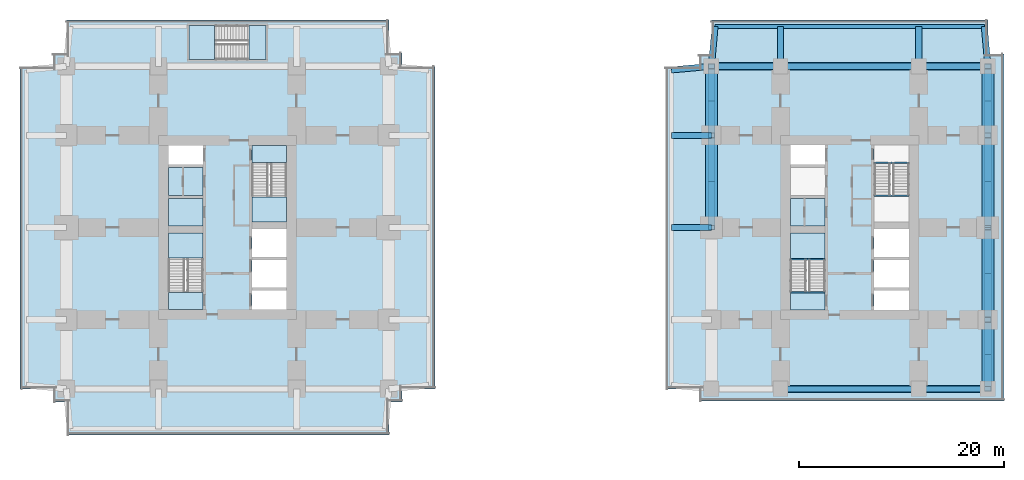
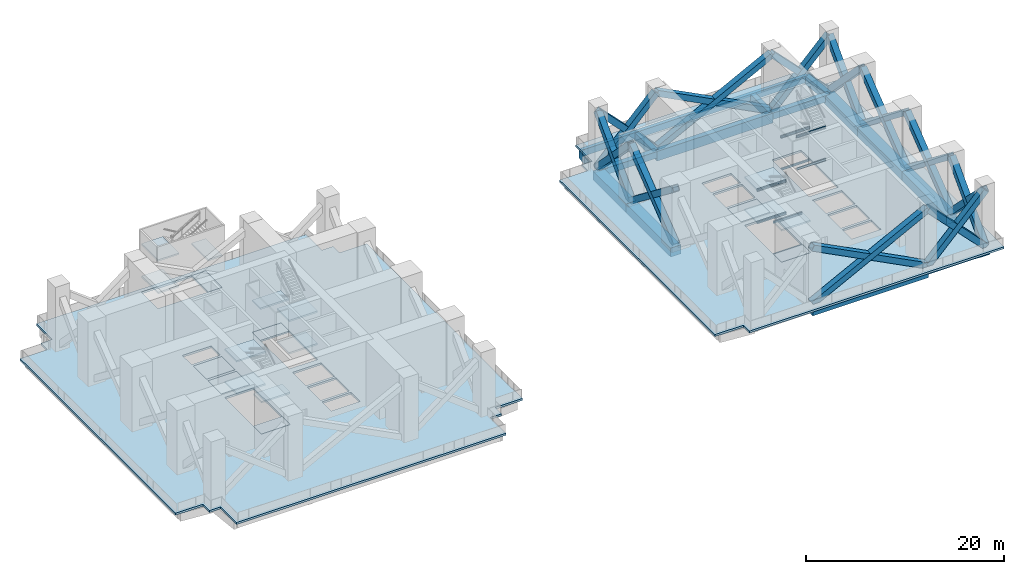
# One storey, part 2 of 11: 27 beams, 22 members, 21 slabs, 4 elements without a shape of their own.
"""IFC4 building model written with IfcOpenShell, lengths in metres."""

import ifcopenshell
import ifcopenshell.guid

model = None  # the IFC model being written
_history = None  # IfcOwnerHistory: only IFC2X3 demands one
_inside = {}  # id of a spatial element -> (the spatial element, [elements in it])
_under = {}  # id of a project, library or spatial element -> (it, [spatial elements below it])
_declared = {}  # id of a project -> (the project, [libraries it declares])
_typed = {}  # id of a type object -> (the type object, [elements of that type])
_made_of = {}  # id of a material, layer set ... -> (it, [elements and type objects made of it])


def new_model(schema):
    """Start an empty IFC model of exactly this schema.

    Asked for "IFC4X3", IfcOpenShell would pick the latest addendum, in which some entities
    have other attributes; the version numbers below select the first issue.
    IFC2X3 requires an IfcOwnerHistory on every rooted entity: one is made here for all.
    """
    global model, _history
    if schema == "IFC4X3":
        model = ifcopenshell.file(schema_version=(4, 3, 0, 0))
    else:
        model = ifcopenshell.file(schema=schema)
    _inside.clear()
    _under.clear()
    _declared.clear()
    _typed.clear()
    _made_of.clear()
    _history = None
    if model.schema == "IFC2X3":
        org = make("IfcOrganization", Name="unknown")
        user = make(
            "IfcPersonAndOrganization",
            ThePerson=make("IfcPerson", FamilyName="unknown"),
            TheOrganization=org,
        )
        app = make(
            "IfcApplication",
            ApplicationDeveloper=org,
            Version="unknown",
            ApplicationFullName="unknown",
            ApplicationIdentifier="unknown",
        )
        _history = make(
            "IfcOwnerHistory",
            OwningUser=user,
            OwningApplication=app,
            ChangeAction="ADDED",
            CreationDate=0,
        )
    return model


def make(cls, **values):
    """One entity of the class cls with the attributes given. An attribute that is None is left unset."""
    return model.create_entity(
        cls, **{name: value for name, value in values.items() if value is not None}
    )


def rooted(cls, **values):
    """An entity with a GlobalId (a new one), such as an element, a storey or a relation."""
    return make(cls, GlobalId=ifcopenshell.guid.new(), OwnerHistory=_history, **values)


def si_unit(unit_type, name, prefix=None):
    """IfcSIUnit, for example si_unit("LENGTHUNIT", "METRE", prefix="MILLI")."""
    return make("IfcSIUnit", UnitType=unit_type, Prefix=prefix, Name=name)


def assignment(units):
    """IfcUnitAssignment: the units of a project."""
    return None if units is None else make("IfcUnitAssignment", Units=units)


def point(xyz):
    """IfcCartesianPoint."""
    return None if xyz is None else make("IfcCartesianPoint", Coordinates=xyz)


def direction(xyz):
    """IfcDirection."""
    return None if xyz is None else make("IfcDirection", DirectionRatios=xyz)


def frame(location, z_axis=None, x_axis=None):
    """IfcAxis2Placement3D, a coordinate frame: its origin and axes. An axis left out is left unset."""
    return make(
        "IfcAxis2Placement3D",
        Location=point(location),
        Axis=direction(z_axis),
        RefDirection=direction(x_axis),
    )


def frame_2d(location, x_axis=None):
    """IfcAxis2Placement2D, a coordinate frame in the plane: its origin and x axis."""
    return make(
        "IfcAxis2Placement2D", Location=point(location), RefDirection=direction(x_axis)
    )


def origin():
    """The frame at (0, 0, 0) with its axes left unset."""
    return frame((0.0, 0.0, 0.0))


def origin_2d():
    """The frame at (0, 0) in the plane with its x axis left unset."""
    return frame_2d((0.0, 0.0))


def place(relative_to, where):
    """IfcLocalPlacement: puts the frame where relative to a parent placement (None: the world)."""
    return make(
        "IfcLocalPlacement", PlacementRelTo=relative_to, RelativePlacement=where
    )


def context(
    kind, dimensions, precision=None, world=None, true_north=None, identifier=None
):
    """IfcGeometricRepresentationContext, for example the 3D "Model" context."""
    return make(
        "IfcGeometricRepresentationContext",
        ContextIdentifier=identifier,
        ContextType=kind,
        CoordinateSpaceDimension=dimensions,
        Precision=precision,
        WorldCoordinateSystem=world,
        TrueNorth=true_north,
    )


def subcontext(parent, identifier, kind, view, scale=None):
    """IfcGeometricRepresentationSubContext, for example "Body" below "Model"."""
    return make(
        "IfcGeometricRepresentationSubContext",
        ContextIdentifier=identifier,
        ContextType=kind,
        ParentContext=parent,
        TargetScale=scale,
        TargetView=view,
    )


def project(units=None, contexts=None):
    """IfcProject with its units and contexts."""
    return rooted(
        "IfcProject",
        Name="project",
        RepresentationContexts=contexts,
        UnitsInContext=assignment(units),
    )


def spatial(cls, under=None, at=None, **own):
    """A site, building, storey or space (cls), placed at a placement, below another one or the project."""
    s = rooted(cls, ObjectPlacement=at, **own)
    if under is not None:
        _under.setdefault(under.id(), (under, []))[1].append(s)
    return s


def polyline(points):
    """IfcPolyline through the points."""
    return make("IfcPolyline", Points=[point(p) for p in points])


def profile(cls, at=None, kind="AREA", **sizes):
    """A parametric profile (cls). Its sizes go by their IFC names, for example OverallWidth=200.0."""
    return make(cls, ProfileType=kind, Position=at, **sizes)


def rectangle(**sizes):
    """IfcRectangleProfileDef."""
    return profile("IfcRectangleProfileDef", **sizes)


def hollow_rectangle(**sizes):
    """IfcRectangleHollowProfileDef."""
    return profile("IfcRectangleHollowProfileDef", **sizes)


def i_section(**sizes):
    """IfcIShapeProfileDef."""
    return profile("IfcIShapeProfileDef", **sizes)


def outline(outer, holes=None, kind="AREA"):
    """IfcArbitraryClosedProfileDef: a profile drawn as a closed curve; with holes, ...WithVoids."""
    if holes is None:
        return make("IfcArbitraryClosedProfileDef", ProfileType=kind, OuterCurve=outer)
    return make(
        "IfcArbitraryProfileDefWithVoids",
        ProfileType=kind,
        OuterCurve=outer,
        InnerCurves=holes,
    )


def extrude(swept, where, along, depth):
    """IfcExtrudedAreaSolid: the profile swept, set in the frame where, extruded along a direction by depth."""
    return make(
        "IfcExtrudedAreaSolid",
        SweptArea=swept,
        Position=where,
        ExtrudedDirection=direction(along),
        Depth=depth,
    )


def shape(context_of_items, identifier, shape_type, items):
    """IfcShapeRepresentation: the items that make up one representation, for example the "Body"."""
    return make(
        "IfcShapeRepresentation",
        ContextOfItems=context_of_items,
        RepresentationIdentifier=identifier,
        RepresentationType=shape_type,
        Items=items,
    )


def material(Name=None, Category=None):
    """IfcMaterial."""
    return make("IfcMaterial", Name=Name, Category=Category)


def layer(
    of_material, thickness, ventilated=None, Name=None, Category=None, Priority=None
):
    """IfcMaterialLayer: one layer of a wall or slab, of a material (None: an air gap)."""
    return make(
        "IfcMaterialLayer",
        Material=of_material,
        LayerThickness=thickness,
        IsVentilated=ventilated,
        Name=Name,
        Category=Category,
        Priority=Priority,
    )


def layer_set(layers, Name=None):
    """IfcMaterialLayerSet."""
    return make("IfcMaterialLayerSet", MaterialLayers=layers, LayerSetName=Name)


def material_profile(
    of_material, cross_section, Name=None, Category=None, Priority=None
):
    """IfcMaterialProfile: a cross section and its material."""
    return make(
        "IfcMaterialProfile",
        Name=Name,
        Material=of_material,
        Profile=cross_section,
        Priority=Priority,
        Category=Category,
    )


def profile_set(profiles, Name=None, composite=None):
    """IfcMaterialProfileSet."""
    return make(
        "IfcMaterialProfileSet",
        Name=Name,
        MaterialProfiles=profiles,
        CompositeProfile=composite,
    )


def made_of(thing, what):
    """Note that an element or type object is made of a material, layer set ...; save() writes the relation."""
    if what is not None:
        _made_of.setdefault(what.id(), (what, []))[1].append(thing)
    return thing


def type_object(cls, material=None, **own):
    """A type object (cls), such as IfcWallType, which elements share."""
    return made_of(rooted(cls, **own), material)


def element(
    cls,
    number,
    at=None,
    inside=None,
    cuts=None,
    type_object=None,
    material=None,
    context=None,
    identifier="Body",
    shape_type=None,
    held_by="IfcProductDefinitionShape",
    body=None,
    shapes=None,
    **own,
):
    """One element of the class cls, such as IfcWall. Its Tag is "e" and its number.

    at: its placement. inside: the storey or other place that contains it. cuts: it is an
    opening in that element (IfcRelVoidsElement). A single representation is given by context,
    identifier, shape_type and body (its items); several are given by shapes. held_by: the class
    of the entity that holds the representations. save() writes the other relations.
    """
    e = rooted(cls, Tag="e%d" % number, ObjectPlacement=at, **own)
    if body is not None:
        shapes = [shape(context, identifier, shape_type, body)]
    if shapes is not None:
        e.Representation = make(held_by, Representations=shapes)
    if inside is not None:
        _inside.setdefault(inside.id(), (inside, []))[1].append(e)
    if cuts is not None:
        rooted(
            "IfcRelVoidsElement", RelatingBuildingElement=cuts, RelatedOpeningElement=e
        )
    if type_object is not None:
        _typed.setdefault(type_object.id(), (type_object, []))[1].append(e)
    return made_of(e, material)


def aggregate(whole, parts):
    """IfcRelAggregates: a whole, such as a stair, and the parts it consists of."""
    return rooted("IfcRelAggregates", RelatingObject=whole, RelatedObjects=parts)


def save(model, path):
    """Write the relations noted so far, then the file.

    IfcRelAggregates (storeys below a building ...), IfcRelContainedInSpatialStructure (elements
    in a storey), IfcRelDefinesByType, IfcRelAssociatesMaterial and IfcRelDeclares: one each for
    every whole, place, type object, material and project.
    """
    for whole, parts in _under.values():
        aggregate(whole, parts)
    for where, things in _inside.values():
        rooted(
            "IfcRelContainedInSpatialStructure",
            RelatedElements=things,
            RelatingStructure=where,
        )
    for kind, things in _typed.values():
        rooted("IfcRelDefinesByType", RelatedObjects=things, RelatingType=kind)
    for what, things in _made_of.values():
        rooted("IfcRelAssociatesMaterial", RelatedObjects=things, RelatingMaterial=what)
    for by, libraries in _declared.values():
        rooted("IfcRelDeclares", RelatingContext=by, RelatedDefinitions=libraries)
    model.write(path)


model = new_model("IFC4")

# Units and contexts
model_context = context("Model", 3, precision=1e-05, world=origin(), true_north=direction((0.0, 1.0)))
body_context = subcontext(model_context, "Body", "Model", "MODEL_VIEW")
ifc_project = project(units=[si_unit("LENGTHUNIT", "METRE"), si_unit("AREAUNIT", "SQUARE_METRE"), si_unit("VOLUMEUNIT", "CUBIC_METRE"), si_unit("PLANEANGLEUNIT", "RADIAN"), si_unit("MASSUNIT", "GRAM", prefix="KILO")], contexts=[model_context])

# Site, building, storey
site_placement = place(None, origin())
site = spatial("IfcSite", under=ifc_project, at=site_placement, CompositionType="ELEMENT")
building_placement = place(site_placement, origin())
building = spatial("IfcBuilding", under=site, at=building_placement, Name="Namib Vertical Campus", CompositionType="ELEMENT")
storey_placement = place(building_placement, frame((0.0, 0.0, 169.0)))
storey = spatial("IfcBuildingStorey", under=building, at=storey_placement, Name="L40", CompositionType="ELEMENT", Elevation=169.0)

# Members
ifc_material_1 = material(Name="Steel S355JR", Category="steel")
ifc_material_profile_1 = material_profile(ifc_material_1, hollow_rectangle(XDim=0.699951171875, YDim=0.699951171875, WallThickness=0.0400390625, at=origin_2d()))
ifc_profile_set_1 = profile_set([ifc_material_profile_1], Name="Steel S355JR")
member_type = type_object("IfcMemberType", Name="Belt truss diagonal WB 700x700x40", PredefinedType="BRACE", material=ifc_profile_set_1)
for number, where, z_axis, x_axis, name in (
    (1, (74.25, 4.5, 0.0), (0.889097706218, 0.0, 0.457717455203), (0.0, 1.0, 0.0), "Belt truss diagonal B L40 S3"),
    (2, (87.75, 4.5, 0.0), (-0.889097706218, 0.0, 0.457717455203), (0.0, -1.0, 0.0), "Belt truss diagonal B L40 S4"),
):
    element("IfcMember", number, at=place(storey_placement, frame(where, z_axis=z_axis, x_axis=x_axis)), inside=storey, type_object=member_type, Name=name, PredefinedType="BRACE", context=body_context, shape_type="SweptSolid", body=[
        extrude(hollow_rectangle(XDim=0.699951171875, YDim=0.699951171875, WallThickness=0.0400390625, at=origin_2d()), origin(), (0.0, 0.0, 1.0), 15.183837890625),
    ])
for number, where, z_axis, x_axis, name in (
    (3, (87.75, 4.5, 0.0), (0.696712336785, 0.0, 0.717350625407), (0.0, 1.0, 0.0), "Belt truss diagonal B L40 S5"),
    (4, (94.5, 4.5, 0.0), (-0.696712336785, 0.0, 0.717350625407), (0.0, -1.0, 0.0), "Belt truss diagonal B L40 S6"),
    (5, (67.5, 36.0, 0.0), (0.696712336785, 0.0, 0.717350625407), (0.0, 1.0, 0.0), "Belt truss diagonal B L40 N7"),
    (6, (74.25, 36.0, 0.0), (-0.696712336785, 0.0, 0.717350625407), (0.0, -1.0, 0.0), "Belt truss diagonal B L40 N8"),
):
    element("IfcMember", number, at=place(storey_placement, frame(where, z_axis=z_axis, x_axis=x_axis)), inside=storey, type_object=member_type, Name=name, PredefinedType="BRACE", context=body_context, shape_type="SweptSolid", body=[
        extrude(hollow_rectangle(XDim=0.699951171875, YDim=0.699951171875, WallThickness=0.0400390625, at=origin_2d()), origin(), (0.0, 0.0, 1.0), 9.6884765625),
    ])
for number, where, z_axis, x_axis, name in (
    (7, (74.25, 36.0, 0.0), (0.889097706218, 0.0, 0.457717455203), (0.0, 1.0, 0.0), "Belt truss diagonal B L40 N9"),
    (8, (87.75, 36.0, 0.0), (-0.889097706218, 0.0, 0.457717455203), (0.0, -1.0, 0.0), "Belt truss diagonal B L40 N10"),
):
    element("IfcMember", number, at=place(storey_placement, frame(where, z_axis=z_axis, x_axis=x_axis)), inside=storey, type_object=member_type, Name=name, PredefinedType="BRACE", context=body_context, shape_type="SweptSolid", body=[
        extrude(hollow_rectangle(XDim=0.699951171875, YDim=0.699951171875, WallThickness=0.0400390625, at=origin_2d()), origin(), (0.0, 0.0, 1.0), 15.183837890625),
    ])
for number, where, z_axis, x_axis, name in (
    (9, (87.75, 36.0, 0.0), (0.696712336785, 0.0, 0.717350625407), (0.0, 1.0, 0.0), "Belt truss diagonal B L40 N11"),
    (10, (94.5, 36.0, 0.0), (-0.696712336785, 0.0, 0.717350625407), (0.0, -1.0, 0.0), "Belt truss diagonal B L40 N12"),
):
    element("IfcMember", number, at=place(storey_placement, frame(where, z_axis=z_axis, x_axis=x_axis)), inside=storey, type_object=member_type, Name=name, PredefinedType="BRACE", context=body_context, shape_type="SweptSolid", body=[
        extrude(hollow_rectangle(XDim=0.699951171875, YDim=0.699951171875, WallThickness=0.0400390625, at=origin_2d()), origin(), (0.0, 0.0, 1.0), 9.6884765625),
    ])
for number, where, z_axis, x_axis, name in (
    (11, (67.5, 20.25, 0.0), (0.0, 0.79148044328, 0.611194492699), (-1.0, 0.0, 0.0), "Belt truss diagonal B L40 W17"),
    (12, (67.5, 29.25, 0.0), (0.0, -0.79148044328, 0.611194492699), (1.0, 0.0, 0.0), "Belt truss diagonal B L40 W18"),
):
    element("IfcMember", number, at=place(storey_placement, frame(where, z_axis=z_axis, x_axis=x_axis)), inside=storey, type_object=member_type, Name=name, PredefinedType="BRACE", context=body_context, shape_type="SweptSolid", body=[
        extrude(hollow_rectangle(XDim=0.699951171875, YDim=0.699951171875, WallThickness=0.0400390625, at=origin_2d()), origin(), (0.0, 0.0, 1.0), 11.37109375),
    ])
for number, where, z_axis, x_axis, name in (
    (13, (67.5, 29.25, 0.0), (0.0, 0.696712336785, 0.717350625407), (-1.0, 0.0, 0.0), "Belt truss diagonal B L40 W19"),
    (14, (67.5, 36.0, 0.0), (0.0, -0.696712336785, 0.717350625407), (1.0, 0.0, 0.0), "Belt truss diagonal B L40 W20"),
    (15, (94.5, 4.5, 0.0), (0.0, 0.696712336785, 0.717350625407), (-1.0, 0.0, 0.0), "Belt truss diagonal B L40 E21"),
    (16, (94.5, 11.25, 0.0), (0.0, -0.696712336785, 0.717350625407), (1.0, 0.0, 0.0), "Belt truss diagonal B L40 E22"),
):
    element("IfcMember", number, at=place(storey_placement, frame(where, z_axis=z_axis, x_axis=x_axis)), inside=storey, type_object=member_type, Name=name, PredefinedType="BRACE", context=body_context, shape_type="SweptSolid", body=[
        extrude(hollow_rectangle(XDim=0.699951171875, YDim=0.699951171875, WallThickness=0.0400390625, at=origin_2d()), origin(), (0.0, 0.0, 1.0), 9.6884765625),
    ])
for number, where, z_axis, x_axis, name in (
    (17, (94.5, 11.25, 0.0), (0.0, 0.79148044328, 0.611194492699), (-1.0, 0.0, 0.0), "Belt truss diagonal B L40 E23"),
    (18, (94.5, 20.25, 0.0), (0.0, -0.79148044328, 0.611194492699), (1.0, 0.0, 0.0), "Belt truss diagonal B L40 E24"),
    (19, (94.5, 20.25, 0.0), (0.0, 0.79148044328, 0.611194492699), (-1.0, 0.0, 0.0), "Belt truss diagonal B L40 E25"),
    (20, (94.5, 29.25, 0.0), (0.0, -0.79148044328, 0.611194492699), (1.0, 0.0, 0.0), "Belt truss diagonal B L40 E26"),
):
    element("IfcMember", number, at=place(storey_placement, frame(where, z_axis=z_axis, x_axis=x_axis)), inside=storey, type_object=member_type, Name=name, PredefinedType="BRACE", context=body_context, shape_type="SweptSolid", body=[
        extrude(hollow_rectangle(XDim=0.699951171875, YDim=0.699951171875, WallThickness=0.0400390625, at=origin_2d()), origin(), (0.0, 0.0, 1.0), 11.37109375),
    ])
for number, where, z_axis, x_axis, name in (
    (21, (94.5, 29.25, 0.0), (0.0, 0.696712336785, 0.717350625407), (-1.0, 0.0, 0.0), "Belt truss diagonal B L40 E27"),
    (22, (94.5, 36.0, 0.0), (0.0, -0.696712336785, 0.717350625407), (1.0, 0.0, 0.0), "Belt truss diagonal B L40 E28"),
):
    element("IfcMember", number, at=place(storey_placement, frame(where, z_axis=z_axis, x_axis=x_axis)), inside=storey, type_object=member_type, Name=name, PredefinedType="BRACE", context=body_context, shape_type="SweptSolid", body=[
        extrude(hollow_rectangle(XDim=0.699951171875, YDim=0.699951171875, WallThickness=0.0400390625, at=origin_2d()), origin(), (0.0, 0.0, 1.0), 9.6884765625),
    ])

# Beams
ifc_material_2 = material(Name="Concrete C40/50", Category="concrete")
ifc_material_profile_2 = material_profile(ifc_material_2, rectangle(XDim=1.199951171875, YDim=1.10009765625, at=origin_2d()))
ifc_profile_set_2 = profile_set([ifc_material_profile_2], Name="Concrete C40/50")
beam_type_1 = type_object("IfcBeamType", Name="Face ring beam RC 1200x1100", PredefinedType="BEAM", material=ifc_profile_set_2)
beam_1_placement = place(storey_placement, frame((67.5, 20.25, -0.800048828125), z_axis=(0.0, 1.0, 0.0), x_axis=(-1.0, 0.0, 0.0)))
element("IfcBeam", 23, at=beam_1_placement, inside=storey, type_object=beam_type_1, Name="Beam B11 L40", PredefinedType="BEAM", context=body_context, shape_type="SweptSolid", body=[
    extrude(rectangle(XDim=1.199951171875, YDim=1.10009765625, at=origin_2d()), origin(), (0.0, 0.0, 1.0), 9.0),
])
for number, where, z_axis, x_axis, name in (
    (24, (67.5, 29.25, -0.800048828125), (0.0, 1.0, 0.0), (-1.0, 0.0, 0.0), "Beam B11 L40"),
    (25, (94.5, 4.5, -0.800048828125), (0.0, 1.0, 0.0), (-1.0, 0.0, 0.0), "Beam B11 L40"),
):
    element("IfcBeam", number, at=place(storey_placement, frame(where, z_axis=z_axis, x_axis=x_axis)), inside=storey, type_object=beam_type_1, Name=name, PredefinedType="BEAM", context=body_context, shape_type="SweptSolid", body=[
        extrude(rectangle(XDim=1.199951171875, YDim=1.10009765625, at=origin_2d()), origin(), (0.0, 0.0, 1.0), 6.75),
    ])
for number, where, z_axis, x_axis, name in (
    (26, (94.5, 11.25, -0.800048828125), (0.0, 1.0, 0.0), (-1.0, 0.0, 0.0), "Beam B11 L40"),
    (27, (94.5, 20.25, -0.800048828125), (0.0, 1.0, 0.0), (-1.0, 0.0, 0.0), "Beam B11 L40"),
):
    element("IfcBeam", number, at=place(storey_placement, frame(where, z_axis=z_axis, x_axis=x_axis)), inside=storey, type_object=beam_type_1, Name=name, PredefinedType="BEAM", context=body_context, shape_type="SweptSolid", body=[
        extrude(rectangle(XDim=1.199951171875, YDim=1.10009765625, at=origin_2d()), origin(), (0.0, 0.0, 1.0), 9.0),
    ])
beam_2_placement = place(storey_placement, frame((94.5, 29.25, -0.800048828125), z_axis=(0.0, 1.0, 0.0), x_axis=(-1.0, 0.0, 0.0)))
element("IfcBeam", 28, at=beam_2_placement, inside=storey, type_object=beam_type_1, Name="Beam B11 L40", PredefinedType="BEAM", context=body_context, shape_type="SweptSolid", body=[
    extrude(rectangle(XDim=1.199951171875, YDim=1.10009765625, at=origin_2d()), origin(), (0.0, 0.0, 1.0), 6.75),
])
ifc_material_3 = material(Name="Steel S355JR", Category="steel")
ifc_material_profile_3 = material_profile(ifc_material_3, i_section(OverallWidth=0.14599609375, OverallDepth=0.25146484375, WebThickness=0.006103515625, FlangeThickness=0.008544921875, FilletRadius=0.007568359375, at=origin_2d()))
ifc_profile_set_3 = profile_set([ifc_material_profile_3], Name="Steel S355JR")
beam_type_2 = type_object("IfcBeamType", Name="Landing trimmer UB 254x146x31", PredefinedType="BEAM", material=ifc_profile_set_3)
for number, where, z_axis, x_axis, name in (
    (29, (75.199951171875, 13.927001953125, -0.125732421875), (1.0, 0.0, 0.0), (0.0, 1.0, 0.0), "Landing trimmer LT1 B-S1 L40 1"),
    (30, (75.199951171875, 17.153076171875, 1.874267578125), (1.0, 0.0, 0.0), (0.0, 1.0, 0.0), "Landing trimmer LT1 B-S1 L40 2"),
    (31, (75.199951171875, 13.927001953125, 3.874267578125), (1.0, 0.0, 0.0), (0.0, 1.0, 0.0), "Landing trimmer LT1 B-S1 L40 3"),
    (32, (75.199951171875, 17.153076171875, 5.874267578125), (1.0, 0.0, 0.0), (0.0, 1.0, 0.0), "Landing trimmer LT1 B-S1 L40 4"),
    (33, (83.39990234375, 26.572998046875, -0.125732421875), (1.0, 0.0, 0.0), (0.0, 1.0, 0.0), "Landing trimmer LT1 B-S2 L40 1"),
    (34, (83.39990234375, 23.346923828125, 1.874267578125), (1.0, 0.0, 0.0), (0.0, 1.0, 0.0), "Landing trimmer LT1 B-S2 L40 2"),
    (35, (83.39990234375, 26.572998046875, 3.874267578125), (1.0, 0.0, 0.0), (0.0, 1.0, 0.0), "Landing trimmer LT1 B-S2 L40 3"),
    (36, (83.39990234375, 23.346923828125, 5.874267578125), (1.0, 0.0, 0.0), (0.0, 1.0, 0.0), "Landing trimmer LT1 B-S2 L40 4"),
):
    element("IfcBeam", number, at=place(storey_placement, frame(where, z_axis=z_axis, x_axis=x_axis)), inside=storey, type_object=beam_type_2, Name=name, PredefinedType="BEAM", context=body_context, shape_type="SweptSolid", body=[
        extrude(i_section(OverallWidth=0.14599609375, OverallDepth=0.25146484375, WebThickness=0.006103515625, FlangeThickness=0.008544921875, FilletRadius=0.007568359375, at=origin_2d()), origin(), (0.0, 0.0, 1.0), 3.400146484375),
    ])
ifc_material_4 = material(Name="Concrete C40/50", Category="concrete")
ifc_material_profile_4 = material_profile(ifc_material_4, rectangle(XDim=0.60009765625, YDim=1.199951171875, at=origin_2d()))
ifc_profile_set_4 = profile_set([ifc_material_profile_4], Name="Concrete C40/50")
beam_type_3 = type_object("IfcBeamType", Name="Long-span ring beam RC 600x1200", PredefinedType="BEAM", material=ifc_profile_set_4)
for number, where, z_axis, x_axis, name in (
    (37, (74.25, 4.5, -0.85009765625), (1.0, 0.0, 0.0), (0.0, 1.0, 0.0), "Beam B9 L40"),
    (38, (74.25, 36.0, -0.85009765625), (1.0, 0.0, 0.0), (0.0, 1.0, 0.0), "Beam B9 L40"),
):
    element("IfcBeam", number, at=place(storey_placement, frame(where, z_axis=z_axis, x_axis=x_axis)), inside=storey, type_object=beam_type_3, Name=name, PredefinedType="BEAM", context=body_context, shape_type="SweptSolid", body=[
        extrude(rectangle(XDim=0.60009765625, YDim=1.199951171875, at=origin_2d()), origin(), (0.0, 0.0, 1.0), 13.5),
    ])
ifc_material_5 = material(Name="Concrete C40/50", Category="concrete")
ifc_material_profile_5 = material_profile(ifc_material_5, rectangle(XDim=0.60009765625, YDim=1.0, at=origin_2d()))
ifc_profile_set_5 = profile_set([ifc_material_profile_5], Name="Concrete C40/50")
beam_type_4 = type_object("IfcBeamType", Name="Portal cantilever girder RC 600x1000", PredefinedType="BEAM", material=ifc_profile_set_5)
beam_3_placement = place(storey_placement, frame((67.5, 36.0, -0.75), z_axis=(0.089411326146, 0.995994786511, 0.0), x_axis=(-0.995994786511, 0.089411326146, 0.0)))
element("IfcBeam", 39, at=beam_3_placement, inside=storey, type_object=beam_type_4, Name="Beam B14 L40", PredefinedType="BEAM", context=body_context, shape_type="SweptSolid", body=[
    extrude(rectangle(XDim=0.60009765625, YDim=1.0, at=origin_2d()), origin(), (0.0, 0.0, 1.0), 3.91552734375),
])
for number, where, z_axis, x_axis, name in (
    (40, (74.25, 36.0, -0.75), (0.0, 1.0, 0.0), (-1.0, 0.0, 0.0), "Beam B14 L40"),
    (41, (87.75, 36.0, -0.75), (0.0, 1.0, 0.0), (-1.0, 0.0, 0.0), "Beam B14 L40"),
):
    element("IfcBeam", number, at=place(storey_placement, frame(where, z_axis=z_axis, x_axis=x_axis)), inside=storey, type_object=beam_type_4, Name=name, PredefinedType="BEAM", context=body_context, shape_type="SweptSolid", body=[
        extrude(rectangle(XDim=0.60009765625, YDim=1.0, at=origin_2d()), origin(), (0.0, 0.0, 1.0), 3.89990234375),
    ])
beam_4_placement = place(storey_placement, frame((94.5, 36.0, -0.75), z_axis=(-0.089411326146, 0.995994786511, 0.0), x_axis=(-0.995994786511, -0.089411326146, 0.0)))
element("IfcBeam", 42, at=beam_4_placement, inside=storey, type_object=beam_type_4, Name="Beam B14 L40", PredefinedType="BEAM", context=body_context, shape_type="SweptSolid", body=[
    extrude(rectangle(XDim=0.60009765625, YDim=1.0, at=origin_2d()), origin(), (0.0, 0.0, 1.0), 3.91552734375),
])
for number, where, z_axis, x_axis, name in (
    (43, (67.5, 20.25, -0.75), (-1.0, 0.0, 0.0), (0.0, -1.0, 0.0), "Beam B14 L40"),
    (44, (67.5, 29.25, -0.75), (-1.0, 0.0, 0.0), (0.0, -1.0, 0.0), "Beam B14 L40"),
):
    element("IfcBeam", number, at=place(storey_placement, frame(where, z_axis=z_axis, x_axis=x_axis)), inside=storey, type_object=beam_type_4, Name=name, PredefinedType="BEAM", context=body_context, shape_type="SweptSolid", body=[
        extrude(rectangle(XDim=0.60009765625, YDim=1.0, at=origin_2d()), origin(), (0.0, 0.0, 1.0), 3.89990234375),
    ])
beam_5_placement = place(storey_placement, frame((67.5, 36.0, -0.75), z_axis=(-0.995994786511, -0.089411326146, 0.0), x_axis=(0.089411326146, -0.995994786511, 0.0)))
element("IfcBeam", 45, at=beam_5_placement, inside=storey, type_object=beam_type_4, Name="Beam B14 L40", PredefinedType="BEAM", context=body_context, shape_type="SweptSolid", body=[
    extrude(rectangle(XDim=0.60009765625, YDim=1.0, at=origin_2d()), origin(), (0.0, 0.0, 1.0), 3.91552734375),
])
ifc_material_6 = material(Name="Concrete C40/50", Category="concrete")
ifc_material_profile_6 = material_profile(ifc_material_6, rectangle(XDim=0.39990234375, YDim=0.800048828125, at=origin_2d()))
ifc_profile_set_6 = profile_set([ifc_material_profile_6], Name="Concrete C40/50")
beam_type_5 = type_object("IfcBeamType", Name="Portal floor edge beam RC 400x800", PredefinedType="SPANDREL", material=ifc_profile_set_6)
beam_6_placement = place(storey_placement, frame((67.85009765625, 39.89990234375, -0.64990234375), z_axis=(1.0, 0.0, 0.0), x_axis=(0.0, 1.0, 0.0)))
element("IfcBeam", 46, at=beam_6_placement, inside=storey, type_object=beam_type_5, Name="Beam B15 L40", PredefinedType="SPANDREL", context=body_context, shape_type="SweptSolid", body=[
    extrude(rectangle(XDim=0.39990234375, YDim=0.800048828125, at=origin_2d()), origin(), (0.0, 0.0, 1.0), 26.2998046875),
])
ifc_material_7 = material(Name="Concrete C40/50", Category="concrete")
ifc_material_profile_7 = material_profile(ifc_material_7, rectangle(XDim=0.60009765625, YDim=0.800048828125, at=origin_2d()))
ifc_profile_set_7 = profile_set([ifc_material_profile_7], Name="Concrete C40/50")
beam_type_6 = type_object("IfcBeamType", Name="Ring beam RC 600x800", PredefinedType="BEAM", material=ifc_profile_set_7)
for number, where, z_axis, x_axis, name in (
    (47, (87.75, 4.5, -0.64990234375), (1.0, 0.0, 0.0), (0.0, 1.0, 0.0), "Beam B1 L40"),
    (48, (67.5, 36.0, -0.64990234375), (1.0, 0.0, 0.0), (0.0, 1.0, 0.0), "Beam B1 L40"),
    (49, (87.75, 36.0, -0.64990234375), (1.0, 0.0, 0.0), (0.0, 1.0, 0.0), "Beam B1 L40"),
):
    element("IfcBeam", number, at=place(storey_placement, frame(where, z_axis=z_axis, x_axis=x_axis)), inside=storey, type_object=beam_type_6, Name=name, PredefinedType="BEAM", context=body_context, shape_type="SweptSolid", body=[
        extrude(rectangle(XDim=0.60009765625, YDim=0.800048828125, at=origin_2d()), origin(), (0.0, 0.0, 1.0), 6.75),
    ])

# Slabs
ifc_material_8 = material(Name="Concrete C40/50", Category="concrete")
ifc_layer_1 = layer(ifc_material_8, 0.25)
ifc_layer_set_1 = layer_set([ifc_layer_1], Name="Concrete C40/50")
slab_type_1 = type_object("IfcSlabType", Name="Floor slab 250", PredefinedType="FLOOR", material=ifc_layer_set_1)
slab_1_placement = place(storey_placement, frame((0.0, 0.0, -0.25)))
element("IfcSlab", 50, at=slab_1_placement, inside=storey, type_object=slab_type_1, Name="Floor slab A L40", PredefinedType="FLOOR", context=body_context, shape_type="SweptSolid", body=[
    extrude(outline(polyline([(4.5, 0.0), (36.0, 0.0), (36.0, 3.199951171875), (37.300048828125, 3.199951171875), (37.300048828125, 4.5), (40.5, 4.5), (40.5, 36.0), (37.300048828125, 36.0), (37.300048828125, 37.300048828125), (36.0, 37.300048828125), (36.0, 40.5), (4.5, 40.5), (4.5, 37.300048828125), (3.199951171875, 37.300048828125), (3.199951171875, 36.0), (0.0, 36.0), (0.0, 4.5), (3.199951171875, 4.5), (3.199951171875, 3.199951171875), (4.5, 3.199951171875), (4.5, 0.0)]), holes=[polyline([(14.5, 12.25), (17.85009765625, 12.25), (17.85009765625, 19.699951171875), (14.5, 19.699951171875), (14.5, 12.25)]), polyline([(22.64990234375, 20.800048828125), (26.0, 20.800048828125), (26.0, 28.25), (22.64990234375, 28.25), (22.64990234375, 20.800048828125)]), polyline([(22.64990234375, 12.25), (26.0, 12.25), (26.0, 14.10009765625), (22.64990234375, 14.10009765625), (22.64990234375, 12.25)]), polyline([(14.5, 20.39990234375), (17.85009765625, 20.39990234375), (17.85009765625, 23.10009765625), (14.5, 23.10009765625), (14.5, 20.39990234375)]), polyline([(14.5, 23.39990234375), (17.85009765625, 23.39990234375), (17.85009765625, 26.10009765625), (14.5, 26.10009765625), (14.5, 23.39990234375)]), polyline([(14.5, 26.39990234375), (17.85009765625, 26.39990234375), (17.85009765625, 28.25), (14.5, 28.25), (14.5, 26.39990234375)]), polyline([(22.64990234375, 14.39990234375), (26.0, 14.39990234375), (26.0, 17.10009765625), (22.64990234375, 17.10009765625), (22.64990234375, 14.39990234375)]), polyline([(22.64990234375, 17.39990234375), (26.0, 17.39990234375), (26.0, 20.10009765625), (22.64990234375, 20.10009765625), (22.64990234375, 17.39990234375)]), polyline([(16.5, 36.64990234375), (24.0, 36.64990234375), (24.0, 40.0), (16.5, 40.0), (16.5, 36.64990234375)])]), origin(), (0.0, 0.0, 1.0), 0.25),
])
slab_2_placement = place(storey_placement, frame((0.0, 0.0, -0.25)))
element("IfcSlab", 51, at=slab_2_placement, inside=storey, type_object=slab_type_1, Name="Floor slab B L40", PredefinedType="FLOOR", context=body_context, shape_type="SweptSolid", body=[
    extrude(outline(polyline([(63.0, 4.5), (66.300048828125, 4.5), (66.300048828125, 3.300048828125), (96.050048828125, 3.300048828125), (96.050048828125, 37.199951171875), (94.5, 37.199951171875), (94.5, 40.5), (67.5, 40.5), (67.5, 37.199951171875), (66.300048828125, 37.199951171875), (66.300048828125, 36.0), (63.0, 36.0), (63.0, 4.5)]), holes=[polyline([(75.199951171875, 12.199951171875), (78.60009765625, 12.199951171875), (78.60009765625, 19.699951171875), (75.199951171875, 19.699951171875), (75.199951171875, 12.199951171875)]), polyline([(83.39990234375, 20.800048828125), (86.800048828125, 20.800048828125), (86.800048828125, 28.300048828125), (83.39990234375, 28.300048828125), (83.39990234375, 20.800048828125)]), polyline([(83.39990234375, 12.199951171875), (86.800048828125, 12.199951171875), (86.800048828125, 14.10009765625), (83.39990234375, 14.10009765625), (83.39990234375, 12.199951171875)]), polyline([(75.199951171875, 20.39990234375), (78.60009765625, 20.39990234375), (78.60009765625, 23.10009765625), (75.199951171875, 23.10009765625), (75.199951171875, 20.39990234375)]), polyline([(75.199951171875, 23.39990234375), (78.60009765625, 23.39990234375), (78.60009765625, 26.10009765625), (75.199951171875, 26.10009765625), (75.199951171875, 23.39990234375)]), polyline([(75.199951171875, 26.39990234375), (78.60009765625, 26.39990234375), (78.60009765625, 28.300048828125), (75.199951171875, 28.300048828125), (75.199951171875, 26.39990234375)]), polyline([(83.39990234375, 14.39990234375), (86.800048828125, 14.39990234375), (86.800048828125, 17.10009765625), (83.39990234375, 17.10009765625), (83.39990234375, 14.39990234375)]), polyline([(83.39990234375, 17.39990234375), (86.800048828125, 17.39990234375), (86.800048828125, 20.10009765625), (83.39990234375, 20.10009765625), (83.39990234375, 17.39990234375)])]), origin(), (0.0, 0.0, 1.0), 0.25),
])
ifc_material_9 = material(Name="Concrete C40/50 precast", Category="concrete")
ifc_layer_2 = layer(ifc_material_9, 0.25)
ifc_layer_set_2 = layer_set([ifc_layer_2], Name="Concrete C40/50 precast")
slab_type_2 = type_object("IfcSlabType", Name="Shaft infill floor 250", PredefinedType="FLOOR", material=ifc_layer_set_2)
slab_3_placement = place(storey_placement, frame((0.0, 0.0, -0.25)))
element("IfcSlab", 52, at=slab_3_placement, inside=storey, type_object=slab_type_2, Name="Shaft infill floor A L40 P1", PredefinedType="FLOOR", context=body_context, shape_type="SweptSolid", body=[
    extrude(outline(polyline([(14.5, 20.39990234375), (17.85009765625, 20.39990234375), (17.85009765625, 23.10009765625), (14.5, 23.10009765625), (14.5, 20.39990234375)])), origin(), (0.0, 0.0, 1.0), 0.25),
])
slab_4_placement = place(storey_placement, frame((0.0, 0.0, -0.25)))
element("IfcSlab", 53, at=slab_4_placement, inside=storey, type_object=slab_type_2, Name="Shaft infill floor A L40 P2", PredefinedType="FLOOR", context=body_context, shape_type="SweptSolid", body=[
    extrude(outline(polyline([(14.5, 23.39990234375), (17.85009765625, 23.39990234375), (17.85009765625, 26.10009765625), (14.5, 26.10009765625), (14.5, 23.39990234375)])), origin(), (0.0, 0.0, 1.0), 0.25),
])
slab_5_placement = place(storey_placement, frame((0.0, 0.0, -0.25)))
element("IfcSlab", 54, at=slab_5_placement, inside=storey, type_object=slab_type_2, Name="Shaft infill floor B L40 P1", PredefinedType="FLOOR", context=body_context, shape_type="SweptSolid", body=[
    extrude(outline(polyline([(75.199951171875, 20.39990234375), (78.60009765625, 20.39990234375), (78.60009765625, 23.10009765625), (75.199951171875, 23.10009765625), (75.199951171875, 20.39990234375)])), origin(), (0.0, 0.0, 1.0), 0.25),
])

# Stair, slabs
ifc_material_10 = material(Name="Concrete C40/50 precast", Category="concrete")
stair_type_1 = type_object("IfcStairType", Name="Exit stair 8000 rise 48 risers 3350 wide", PredefinedType="HALF_TURN_STAIR", material=ifc_material_10)
stair_1_placement = place(storey_placement, origin())
stair_1 = element("IfcStair", 55, at=stair_1_placement, inside=storey, type_object=stair_type_1, Name="Exit stair A-S1 L40", PredefinedType="HALF_TURN_STAIR")
ifc_material_11 = material(Name="Concrete C40/50", Category="concrete")
ifc_layer_3 = layer(ifc_material_11, 0.199951171875)
ifc_layer_set_3 = layer_set([ifc_layer_3], Name="Concrete C40/50")
slab_type_3 = type_object("IfcSlabType", Name="Stair landing 200", PredefinedType="LANDING", material=ifc_layer_set_3)
slab_6_placement = place(storey_placement, frame((0.0, 0.0, -0.199951171875)))
slab_6 = element("IfcSlab", 56, at=slab_6_placement, type_object=slab_type_3, Name="A-S1 landing 1", PredefinedType="LANDING", context=body_context, shape_type="SweptSolid", body=[
    extrude(outline(polyline([(14.5, 12.25), (17.85009765625, 12.25), (17.85009765625, 13.90380859375), (14.5, 13.90380859375), (14.5, 12.25)])), origin(), (0.0, 0.0, 1.0), 0.199951171875),
])
slab_7_placement = place(storey_placement, frame((0.0, 0.0, 1.800048828125)))
slab_7 = element("IfcSlab", 57, at=slab_7_placement, type_object=slab_type_3, Name="A-S1 landing 2", PredefinedType="LANDING", context=body_context, shape_type="SweptSolid", body=[
    extrude(outline(polyline([(14.5, 17.276123046875), (17.85009765625, 17.276123046875), (17.85009765625, 19.699951171875), (14.5, 19.699951171875), (14.5, 17.276123046875)])), origin(), (0.0, 0.0, 1.0), 0.199951171875),
])
slab_8_placement = place(storey_placement, frame((0.0, 0.0, 3.800048828125)))
slab_8 = element("IfcSlab", 58, at=slab_8_placement, type_object=slab_type_3, Name="A-S1 landing 3", PredefinedType="LANDING", context=body_context, shape_type="SweptSolid", body=[
    extrude(outline(polyline([(14.5, 12.25), (17.85009765625, 12.25), (17.85009765625, 13.90380859375), (14.5, 13.90380859375), (14.5, 12.25)])), origin(), (0.0, 0.0, 1.0), 0.199951171875),
])
slab_9_placement = place(storey_placement, frame((0.0, 0.0, 5.800048828125)))
slab_9 = element("IfcSlab", 59, at=slab_9_placement, type_object=slab_type_3, Name="A-S1 landing 4", PredefinedType="LANDING", context=body_context, shape_type="SweptSolid", body=[
    extrude(outline(polyline([(14.5, 17.276123046875), (17.85009765625, 17.276123046875), (17.85009765625, 19.699951171875), (14.5, 19.699951171875), (14.5, 17.276123046875)])), origin(), (0.0, 0.0, 1.0), 0.199951171875),
])
aggregate(stair_1, [slab_6, slab_7, slab_8, slab_9])

stair_2_placement = place(storey_placement, origin())
stair_2 = element("IfcStair", 60, at=stair_2_placement, inside=storey, type_object=stair_type_1, Name="Exit stair A-S2 L40", PredefinedType="HALF_TURN_STAIR")
slab_10_placement = place(storey_placement, frame((0.0, 0.0, -0.199951171875)))
slab_10 = element("IfcSlab", 61, at=slab_10_placement, type_object=slab_type_3, Name="A-S2 landing 1", PredefinedType="LANDING", context=body_context, shape_type="SweptSolid", body=[
    extrude(outline(polyline([(22.64990234375, 26.59619140625), (26.0, 26.59619140625), (26.0, 28.25), (22.64990234375, 28.25), (22.64990234375, 26.59619140625)])), origin(), (0.0, 0.0, 1.0), 0.199951171875),
])
slab_11_placement = place(storey_placement, frame((0.0, 0.0, 1.800048828125)))
slab_11 = element("IfcSlab", 62, at=slab_11_placement, type_object=slab_type_3, Name="A-S2 landing 2", PredefinedType="LANDING", context=body_context, shape_type="SweptSolid", body=[
    extrude(outline(polyline([(22.64990234375, 20.800048828125), (26.0, 20.800048828125), (26.0, 23.223876953125), (22.64990234375, 23.223876953125), (22.64990234375, 20.800048828125)])), origin(), (0.0, 0.0, 1.0), 0.199951171875),
])
slab_12_placement = place(storey_placement, frame((0.0, 0.0, 3.800048828125)))
slab_12 = element("IfcSlab", 63, at=slab_12_placement, type_object=slab_type_3, Name="A-S2 landing 3", PredefinedType="LANDING", context=body_context, shape_type="SweptSolid", body=[
    extrude(outline(polyline([(22.64990234375, 26.59619140625), (26.0, 26.59619140625), (26.0, 28.25), (22.64990234375, 28.25), (22.64990234375, 26.59619140625)])), origin(), (0.0, 0.0, 1.0), 0.199951171875),
])
slab_13_placement = place(storey_placement, frame((0.0, 0.0, 5.800048828125)))
slab_13 = element("IfcSlab", 64, at=slab_13_placement, type_object=slab_type_3, Name="A-S2 landing 4", PredefinedType="LANDING", context=body_context, shape_type="SweptSolid", body=[
    extrude(outline(polyline([(22.64990234375, 20.800048828125), (26.0, 20.800048828125), (26.0, 23.223876953125), (22.64990234375, 23.223876953125), (22.64990234375, 20.800048828125)])), origin(), (0.0, 0.0, 1.0), 0.199951171875),
])
aggregate(stair_2, [slab_10, slab_11, slab_12, slab_13])

ifc_material_12 = material(Name="Concrete C40/50 precast", Category="concrete")
stair_type_2 = type_object("IfcStairType", Name="Exit stair 8000 rise 48 risers 3400 wide", PredefinedType="HALF_TURN_STAIR", material=ifc_material_12)
stair_3_placement = place(storey_placement, origin())
stair_3 = element("IfcStair", 65, at=stair_3_placement, inside=storey, type_object=stair_type_2, Name="Exit stair B-S1 L40", PredefinedType="HALF_TURN_STAIR")
slab_14_placement = place(storey_placement, frame((0.0, 0.0, -0.199951171875)))
slab_14 = element("IfcSlab", 66, at=slab_14_placement, type_object=slab_type_3, Name="B-S1 landing 1", PredefinedType="LANDING", context=body_context, shape_type="SweptSolid", body=[
    extrude(outline(polyline([(75.199951171875, 12.199951171875), (78.60009765625, 12.199951171875), (78.60009765625, 13.85400390625), (75.199951171875, 13.85400390625), (75.199951171875, 12.199951171875)])), origin(), (0.0, 0.0, 1.0), 0.199951171875),
])
slab_15_placement = place(storey_placement, frame((0.0, 0.0, 1.800048828125)))
slab_15 = element("IfcSlab", 67, at=slab_15_placement, type_object=slab_type_3, Name="B-S1 landing 2", PredefinedType="LANDING", context=body_context, shape_type="SweptSolid", body=[
    extrude(outline(polyline([(75.199951171875, 17.22607421875), (78.60009765625, 17.22607421875), (78.60009765625, 19.699951171875), (75.199951171875, 19.699951171875), (75.199951171875, 17.22607421875)])), origin(), (0.0, 0.0, 1.0), 0.199951171875),
])
slab_16_placement = place(storey_placement, frame((0.0, 0.0, 3.800048828125)))
slab_16 = element("IfcSlab", 68, at=slab_16_placement, type_object=slab_type_3, Name="B-S1 landing 3", PredefinedType="LANDING", context=body_context, shape_type="SweptSolid", body=[
    extrude(outline(polyline([(75.199951171875, 12.199951171875), (78.60009765625, 12.199951171875), (78.60009765625, 13.85400390625), (75.199951171875, 13.85400390625), (75.199951171875, 12.199951171875)])), origin(), (0.0, 0.0, 1.0), 0.199951171875),
])
slab_17_placement = place(storey_placement, frame((0.0, 0.0, 5.800048828125)))
slab_17 = element("IfcSlab", 69, at=slab_17_placement, type_object=slab_type_3, Name="B-S1 landing 4", PredefinedType="LANDING", context=body_context, shape_type="SweptSolid", body=[
    extrude(outline(polyline([(75.199951171875, 17.22607421875), (78.60009765625, 17.22607421875), (78.60009765625, 19.699951171875), (75.199951171875, 19.699951171875), (75.199951171875, 17.22607421875)])), origin(), (0.0, 0.0, 1.0), 0.199951171875),
])
aggregate(stair_3, [slab_14, slab_15, slab_16, slab_17])

stair_4_placement = place(storey_placement, origin())
stair_4 = element("IfcStair", 70, at=stair_4_placement, inside=storey, type_object=stair_type_1, Name="Exit stair A-S3 L40", PredefinedType="HALF_TURN_STAIR")
slab_18_placement = place(storey_placement, frame((0.0, 0.0, -0.199951171875)))
slab_18 = element("IfcSlab", 71, at=slab_18_placement, type_object=slab_type_3, Name="A-S3 landing 1", PredefinedType="LANDING", context=body_context, shape_type="SweptSolid", body=[
    extrude(outline(polyline([(22.34619140625, 36.64990234375), (22.34619140625, 40.0), (24.0, 40.0), (24.0, 36.64990234375), (22.34619140625, 36.64990234375)])), origin(), (0.0, 0.0, 1.0), 0.199951171875),
])
slab_19_placement = place(storey_placement, frame((0.0, 0.0, 1.800048828125)))
slab_19 = element("IfcSlab", 72, at=slab_19_placement, type_object=slab_type_3, Name="A-S3 landing 2", PredefinedType="LANDING", context=body_context, shape_type="SweptSolid", body=[
    extrude(outline(polyline([(16.5, 36.64990234375), (16.5, 40.0), (18.973876953125, 40.0), (18.973876953125, 36.64990234375), (16.5, 36.64990234375)])), origin(), (0.0, 0.0, 1.0), 0.199951171875),
])
slab_20_placement = place(storey_placement, frame((0.0, 0.0, 3.800048828125)))
slab_20 = element("IfcSlab", 73, at=slab_20_placement, type_object=slab_type_3, Name="A-S3 landing 3", PredefinedType="LANDING", context=body_context, shape_type="SweptSolid", body=[
    extrude(outline(polyline([(22.34619140625, 36.64990234375), (22.34619140625, 40.0), (24.0, 40.0), (24.0, 36.64990234375), (22.34619140625, 36.64990234375)])), origin(), (0.0, 0.0, 1.0), 0.199951171875),
])
slab_21_placement = place(storey_placement, frame((0.0, 0.0, 5.800048828125)))
slab_21 = element("IfcSlab", 74, at=slab_21_placement, type_object=slab_type_3, Name="A-S3 landing 4", PredefinedType="LANDING", context=body_context, shape_type="SweptSolid", body=[
    extrude(outline(polyline([(16.5, 36.64990234375), (16.5, 40.0), (18.973876953125, 40.0), (18.973876953125, 36.64990234375), (16.5, 36.64990234375)])), origin(), (0.0, 0.0, 1.0), 0.199951171875),
])
aggregate(stair_4, [slab_18, slab_19, slab_20, slab_21])

save(model, "model.ifc")
